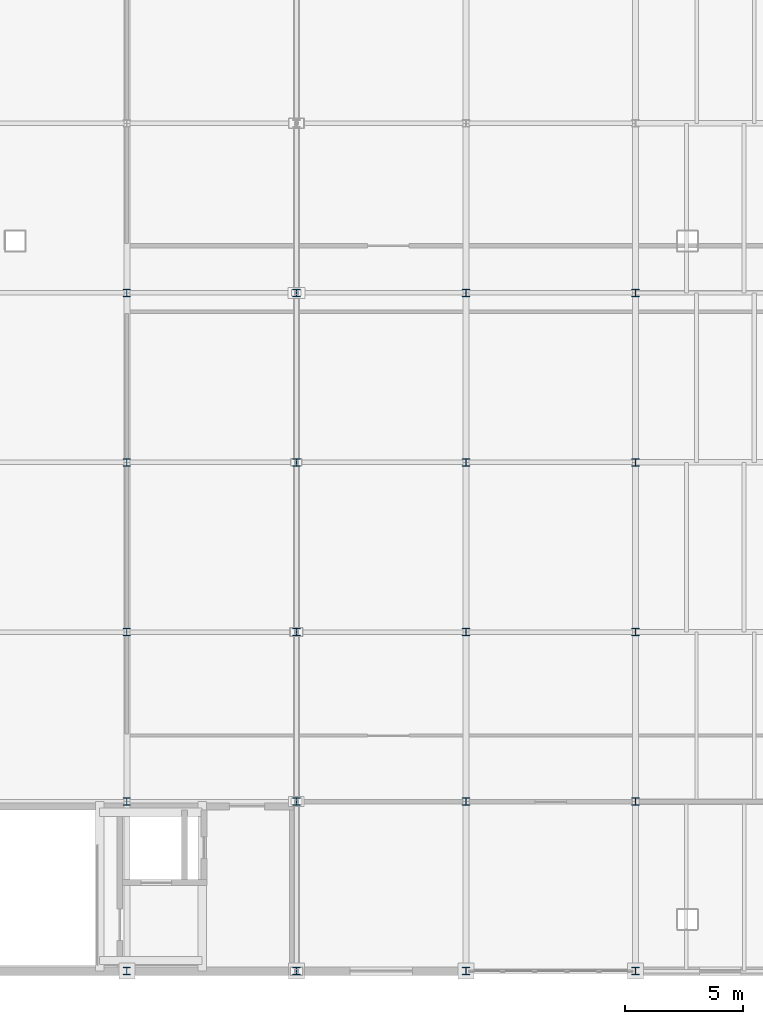
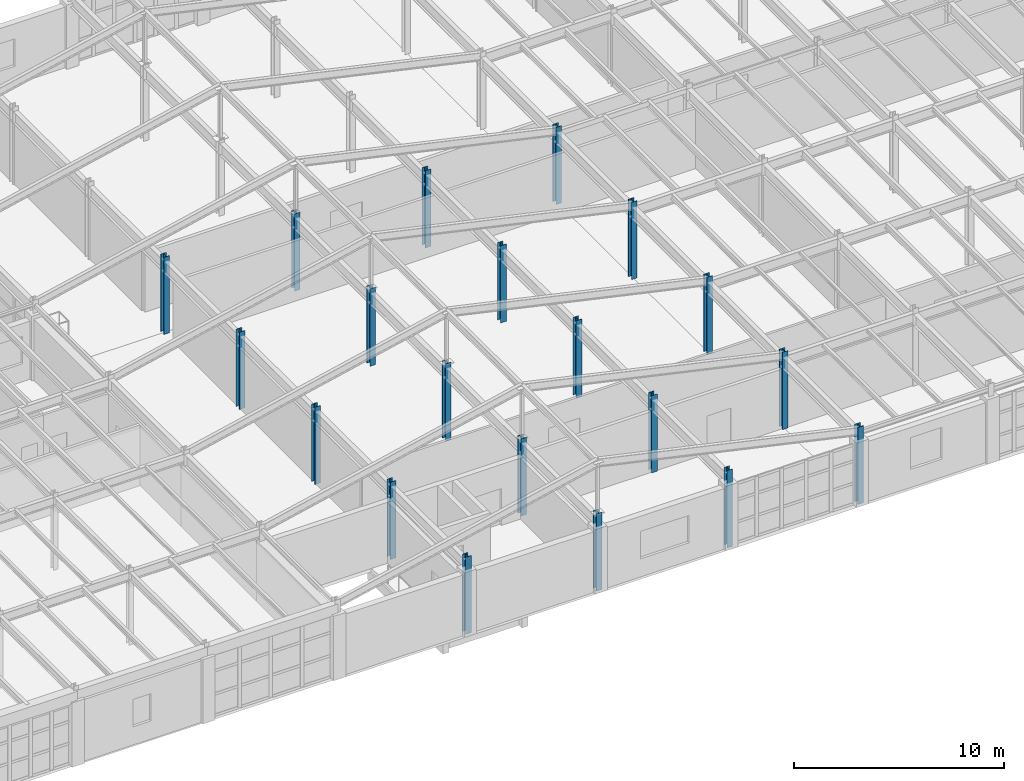
# One storey, part 14 of 137: 20 columns.
"""IFC4 building model written with IfcOpenShell, lengths in metres."""

from ifc_helpers import new_model, si_unit, direction, frame, origin, origin_2d, place, context, subcontext, project, spatial, i_section, extrude, material, material_profile, profile_set, type_object, element, save


model = new_model("IFC4")

# Units and contexts
model_context = context("Model", 3, precision=1e-05, world=origin(), true_north=direction((0.0, 1.0)))
body_context = subcontext(model_context, "Body", "Model", "MODEL_VIEW")
ifc_project = project(units=[si_unit("LENGTHUNIT", "METRE"), si_unit("AREAUNIT", "SQUARE_METRE"), si_unit("VOLUMEUNIT", "CUBIC_METRE"), si_unit("PLANEANGLEUNIT", "RADIAN"), si_unit("MASSUNIT", "GRAM", prefix="KILO")], contexts=[model_context])

# Site, building, storey
site_placement = place(None, origin())
site = spatial("IfcSite", under=ifc_project, at=site_placement, CompositionType="ELEMENT")
building_placement = place(site_placement, origin())
building = spatial("IfcBuilding", under=site, at=building_placement, Name="Kemerveld Promenade Tramway Depot", CompositionType="ELEMENT")
storey_placement = place(building_placement, frame((0.0, 0.0, 5.39990234375)))
storey = spatial("IfcBuildingStorey", under=building, at=storey_placement, Name="L01", CompositionType="ELEMENT", Elevation=5.39990234375)

# Columns
ifc_material = material(Name="Steel S355", Category="steel")
ifc_material_profile = material_profile(ifc_material, i_section(OverallWidth=0.307373046875, OverallDepth=0.314453125, WebThickness=0.011962890625, FlangeThickness=0.018798828125, FilletRadius=0.01513671875, at=origin_2d()), Name="305x305x118 UC")
ifc_profile_set = profile_set([ifc_material_profile], Name="Steel S355")
column_type = type_object("IfcColumnType", Name="COL-S06", PredefinedType="COLUMN", material=ifc_profile_set)
for number, where, z_axis, x_axis, name in (
    (1, (165.60009765625, 0.0, 0.0), (0.0, 0.0, 1.0), (1.0, 0.0, 0.0), "COL-L01-24-A"),
    (2, (165.60009765625, 7.199951171875, 0.0), (0.0, 0.0, 1.0), (1.0, 0.0, 0.0), "COL-L01-24-B"),
    (3, (165.60009765625, 14.39990234375, 0.0), (0.0, 0.0, 1.0), (1.0, 0.0, 0.0), "COL-L01-24-C"),
    (4, (165.60009765625, 21.60009765625, 0.0), (0.0, 0.0, 1.0), (1.0, 0.0, 0.0), "COL-L01-24-D"),
    (5, (165.60009765625, 28.800048828125, 0.0), (0.0, 0.0, 1.0), (1.0, 0.0, 0.0), "COL-L01-24-E"),
    (6, (172.800048828125, 0.0, 0.0), (0.0, 0.0, 1.0), (1.0, 0.0, 0.0), "COL-L01-25-A"),
    (7, (172.800048828125, 7.199951171875, 0.0), (0.0, 0.0, 1.0), (1.0, 0.0, 0.0), "COL-L01-25-B"),
    (8, (172.800048828125, 14.39990234375, 0.0), (0.0, 0.0, 1.0), (1.0, 0.0, 0.0), "COL-L01-25-C"),
    (9, (172.800048828125, 21.60009765625, 0.0), (0.0, 0.0, 1.0), (1.0, 0.0, 0.0), "COL-L01-25-D"),
    (10, (172.800048828125, 28.800048828125, 0.0), (0.0, 0.0, 1.0), (1.0, 0.0, 0.0), "COL-L01-25-E"),
    (11, (180.0, 0.0, 0.0), (0.0, 0.0, 1.0), (1.0, 0.0, 0.0), "COL-L01-26-A"),
    (12, (180.0, 7.199951171875, 0.0), (0.0, 0.0, 1.0), (1.0, 0.0, 0.0), "COL-L01-26-B"),
    (13, (180.0, 14.39990234375, 0.0), (0.0, 0.0, 1.0), (1.0, 0.0, 0.0), "COL-L01-26-C"),
    (14, (180.0, 21.60009765625, 0.0), (0.0, 0.0, 1.0), (1.0, 0.0, 0.0), "COL-L01-26-D"),
    (15, (180.0, 28.800048828125, 0.0), (0.0, 0.0, 1.0), (1.0, 0.0, 0.0), "COL-L01-26-E"),
    (16, (187.199951171875, 0.0, 0.0), (0.0, 0.0, 1.0), (1.0, 0.0, 0.0), "COL-L01-27-A"),
    (17, (187.199951171875, 7.199951171875, 0.0), (0.0, 0.0, 1.0), (1.0, 0.0, 0.0), "COL-L01-27-B"),
    (18, (187.199951171875, 14.39990234375, 0.0), (0.0, 0.0, 1.0), (1.0, 0.0, 0.0), "COL-L01-27-C"),
    (19, (187.199951171875, 21.60009765625, 0.0), (0.0, 0.0, 1.0), (1.0, 0.0, 0.0), "COL-L01-27-D"),
    (20, (187.199951171875, 28.800048828125, 0.0), (0.0, 0.0, 1.0), (1.0, 0.0, 0.0), "COL-L01-27-E"),
):
    element("IfcColumn", number, at=place(storey_placement, frame(where, z_axis=z_axis, x_axis=x_axis)), inside=storey, type_object=column_type, Name=name, PredefinedType="COLUMN", context=body_context, shape_type="SweptSolid", body=[
        extrude(i_section(OverallWidth=0.307373046875, OverallDepth=0.314453125, WebThickness=0.011962890625, FlangeThickness=0.018798828125, FilletRadius=0.01513671875, at=origin_2d()), origin(), (0.0, 0.0, 1.0), 4.5),
    ])

save(model, "model.ifc")
